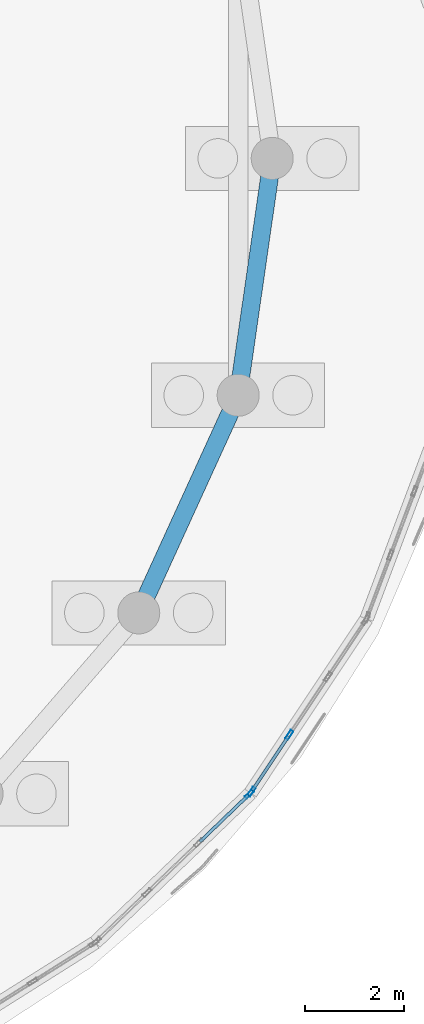
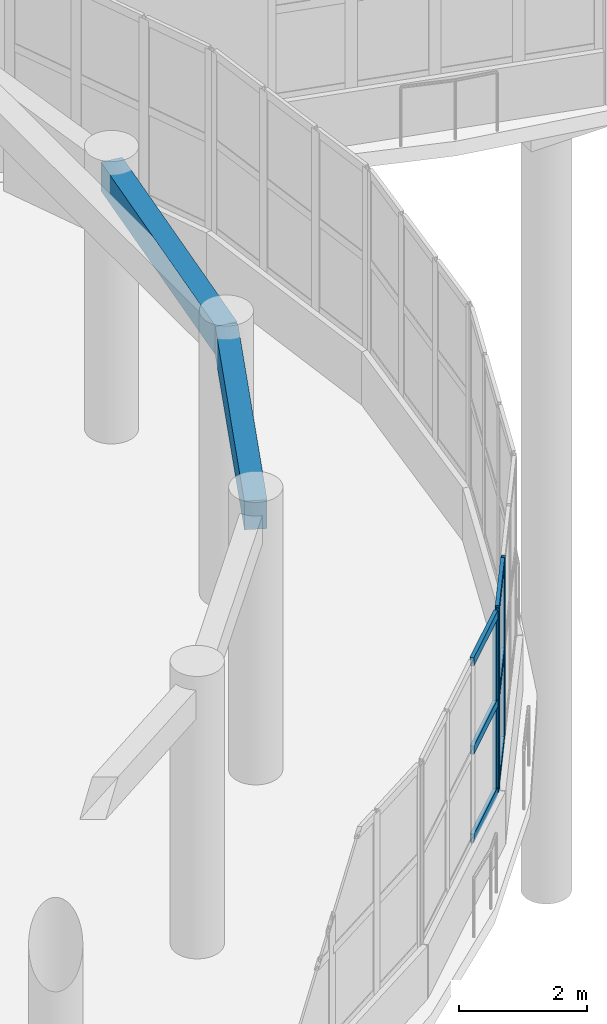
# One storey, part 29 of 96: 9 members, 2 beams, 2 elements without a shape of their own.
"""IFC4 building model written with IfcOpenShell, lengths in metres."""

from ifc_helpers import new_model, si_unit, direction, frame, origin, origin_2d, place, context, subcontext, project, spatial, rectangle, hollow_rectangle, extrude, material, layer, layer_set, material_profile, profile_set, type_object, element, aggregate, save


model = new_model("IFC4")

# Units and contexts
model_context = context("Model", 3, precision=1e-05, world=origin(), true_north=direction((0.0, 1.0)))
body_context = subcontext(model_context, "Body", "Model", "MODEL_VIEW")
ifc_project = project(units=[si_unit("LENGTHUNIT", "METRE"), si_unit("AREAUNIT", "SQUARE_METRE"), si_unit("VOLUMEUNIT", "CUBIC_METRE"), si_unit("PLANEANGLEUNIT", "RADIAN"), si_unit("MASSUNIT", "GRAM", prefix="KILO")], contexts=[model_context])

# Site, building, storey
site_placement = place(None, origin())
site = spatial("IfcSite", under=ifc_project, at=site_placement, CompositionType="ELEMENT")
building_placement = place(site_placement, origin())
building = spatial("IfcBuilding", under=site, at=building_placement, Name="Pelvatis Terrace Science Centre", CompositionType="ELEMENT")
storey_placement = place(building_placement, origin())
storey = spatial("IfcBuildingStorey", under=building, at=storey_placement, Name="L00", CompositionType="ELEMENT", Elevation=0.0)

# Beams
ifc_material_1 = material(Name="Concrete C35/45", Category="concrete")
ifc_material_profile_1 = material_profile(ifc_material_1, rectangle(XDim=0.360107421875, YDim=0.550048828125, at=origin_2d()), Name="RC-BM 360x550")
ifc_profile_set_1 = profile_set([ifc_material_profile_1], Name="Concrete C35/45")
beam_type = type_object("IfcBeamType", Name="BM-RC-360x550", PredefinedType="BEAM", material=ifc_profile_set_1)
beam_1_placement = place(storey_placement, frame((95.0, 54.60009765625, 4.864990234375), z_axis=(-0.142332506918, -0.989818901352, 0.0), x_axis=(0.989818901352, -0.142332506918, 0.0)))
element("IfcBeam", 1, at=beam_1_placement, inside=storey, type_object=beam_type, Name="Beam BM-L00-2203", PredefinedType="BEAM", context=body_context, shape_type="SweptSolid", body=[
    extrude(rectangle(XDim=0.360107421875, YDim=0.550048828125, at=origin_2d()), origin(), (0.0, 0.0, 1.0), 4.8388671875),
])
beam_2_placement = place(storey_placement, frame((92.30126953125, 45.4091796875, 4.864990234375), z_axis=(0.415410348173, 0.909634125696, 0.0), x_axis=(-0.909634125696, 0.415410348173, 0.0)))
element("IfcBeam", 2, at=beam_2_placement, inside=storey, type_object=beam_type, Name="Beam BM-L00-2218", PredefinedType="BEAM", context=body_context, shape_type="SweptSolid", body=[
    extrude(rectangle(XDim=0.360107421875, YDim=0.550048828125, at=origin_2d()), origin(), (0.0, 0.0, 1.0), 4.838623046875),
])

# Curtain wall, member
ifc_material_2 = material(Name="Bronze-anodised aluminium and laminated glass", Category="aluminium")
ifc_layer = layer(ifc_material_2, 0.199951171875)
ifc_layer_set = layer_set([ifc_layer], Name="Bronze-anodised aluminium and laminated glass")
curtain_wall_type = type_object("IfcCurtainWallType", Name="CW-RIBBON-B", PredefinedType="NOTDEFINED", material=ifc_layer_set)
curtain_wall_1_placement = place(storey_placement, origin())
curtain_wall_1 = element("IfcCurtainWall", 3, at=curtain_wall_1_placement, inside=storey, type_object=curtain_wall_type, Name="Ribbon curtain wall CW-056 (L00)", PredefinedType="NOTDEFINED")
ifc_material_3 = material(Name="Bronze-anodised aluminium 6063-T6", Category="aluminium")
ifc_material_profile_2 = material_profile(ifc_material_3, hollow_rectangle(XDim=0.06494140625, YDim=0.199951171875, WallThickness=0.00439453125, at=origin_2d()), Name="ALU-MUL 65x200")
ifc_profile_set_2 = profile_set([ifc_material_profile_2], Name="Bronze-anodised aluminium 6063-T6")
member_type_1 = type_object("IfcMemberType", Name="CWM-65x200", PredefinedType="MULLION", material=ifc_profile_set_2)
member_1_placement = place(storey_placement, frame((94.5390625, 41.7451171875, 1.02001953125), z_axis=(0.0, 0.0, 1.0), x_axis=(-0.693369132291, 0.720582574301, 0.0)))
member_1 = element("IfcMember", 4, at=member_1_placement, type_object=member_type_1, Name="CW-056 mullion 4", PredefinedType="MULLION", context=body_context, shape_type="SweptSolid", body=[
    extrude(hollow_rectangle(XDim=0.06494140625, YDim=0.199951171875, WallThickness=0.00439453125, at=origin_2d()), origin(), (0.0, 0.0, 1.0), 3.43994140625),
])

# Curtain wall, members
curtain_wall_2_placement = place(storey_placement, origin())
curtain_wall_2 = element("IfcCurtainWall", 5, at=curtain_wall_2_placement, inside=storey, type_object=curtain_wall_type, Name="Ribbon curtain wall CW-057 (L00)", PredefinedType="NOTDEFINED")
member_2_placement = place(storey_placement, frame((94.580322265625, 41.794677734375, 1.02001953125), z_axis=(0.0, 0.0, 1.0), x_axis=(-0.832148441606, 0.554552947095, 0.0)))
member_2 = element("IfcMember", 6, at=member_2_placement, type_object=member_type_1, Name="CW-057 mullion 1", PredefinedType="MULLION", context=body_context, shape_type="SweptSolid", body=[
    extrude(hollow_rectangle(XDim=0.06494140625, YDim=0.199951171875, WallThickness=0.00439453125, at=origin_2d()), origin(), (0.0, 0.0, 1.0), 3.43994140625),
])
member_3_placement = place(storey_placement, frame((95.3447265625, 42.94140625, 1.02001953125), z_axis=(0.0, 0.0, 1.0), x_axis=(-0.832148441606, 0.554552947095, 0.0)))
member_3 = element("IfcMember", 7, at=member_3_placement, type_object=member_type_1, Name="CW-057 mullion 2", PredefinedType="MULLION", context=body_context, shape_type="SweptSolid", body=[
    extrude(hollow_rectangle(XDim=0.06494140625, YDim=0.199951171875, WallThickness=0.00439453125, at=origin_2d()), origin(), (0.0, 0.0, 1.0), 3.43994140625),
])

# Member
ifc_material_4 = material(Name="Bronze-anodised aluminium 6063-T6", Category="aluminium")
ifc_material_profile_3 = material_profile(ifc_material_4, hollow_rectangle(XDim=0.06494140625, YDim=0.159912109375, WallThickness=0.00390625, at=origin_2d()), Name="ALU-TRN 65x160")
ifc_profile_set_3 = profile_set([ifc_material_profile_3], Name="Bronze-anodised aluminium 6063-T6")
member_type_2 = type_object("IfcMemberType", Name="CWT-65x160", PredefinedType="USERDEFINED", material=ifc_profile_set_3)
member_4_placement = place(storey_placement, frame((93.5390625, 40.782958984375, 1.052490234375), z_axis=(0.720666864276, 0.693281523434, 0.0), x_axis=(-0.693281523434, 0.720666864276, 0.0)))
member_4 = element("IfcMember", 8, at=member_4_placement, type_object=member_type_2, Name="CW-056 transom 3.1", ObjectType="TRANSOM", PredefinedType="USERDEFINED", context=body_context, shape_type="SweptSolid", body=[
    extrude(hollow_rectangle(XDim=0.06494140625, YDim=0.159912109375, WallThickness=0.00390625, at=origin_2d()), origin(), (0.0, 0.0, 1.0), 1.35498046875),
])

member_5_placement = place(storey_placement, frame((93.5390625, 40.782958984375, 2.739990234375), z_axis=(0.720666864276, 0.693281523434, 0.0), x_axis=(-0.693281523434, 0.720666864276, 0.0)))
member_5 = element("IfcMember", 9, at=member_5_placement, type_object=member_type_2, Name="CW-056 transom 3.2", ObjectType="TRANSOM", PredefinedType="USERDEFINED", context=body_context, shape_type="SweptSolid", body=[
    extrude(hollow_rectangle(XDim=0.06494140625, YDim=0.159912109375, WallThickness=0.00390625, at=origin_2d()), origin(), (0.0, 0.0, 1.0), 1.35498046875),
])

member_6_placement = place(storey_placement, frame((93.5390625, 40.782958984375, 4.427490234375), z_axis=(0.720666864276, 0.693281523434, 0.0), x_axis=(-0.693281523434, 0.720666864276, 0.0)))
member_6 = element("IfcMember", 10, at=member_6_placement, type_object=member_type_2, Name="CW-056 transom 3.3", ObjectType="TRANSOM", PredefinedType="USERDEFINED", context=body_context, shape_type="SweptSolid", body=[
    extrude(hollow_rectangle(XDim=0.06494140625, YDim=0.159912109375, WallThickness=0.00390625, at=origin_2d()), origin(), (0.0, 0.0, 1.0), 1.35498046875),
])

aggregate(curtain_wall_1, [member_1, member_4, member_5, member_6])

member_7_placement = place(storey_placement, frame((94.598388671875, 41.82177734375, 1.052490234375), z_axis=(0.554657286391, 0.832078899296, 0.0), x_axis=(-0.832078899296, 0.554657286391, 0.0)))
member_7 = element("IfcMember", 11, at=member_7_placement, type_object=member_type_2, Name="CW-057 transom 1.1", ObjectType="TRANSOM", PredefinedType="USERDEFINED", context=body_context, shape_type="SweptSolid", body=[
    extrude(hollow_rectangle(XDim=0.06494140625, YDim=0.159912109375, WallThickness=0.00390625, at=origin_2d()), origin(), (0.0, 0.0, 1.0), 1.31298828125),
])

member_8_placement = place(storey_placement, frame((94.598388671875, 41.82177734375, 2.739990234375), z_axis=(0.554657286391, 0.832078899296, 0.0), x_axis=(-0.832078899296, 0.554657286391, 0.0)))
member_8 = element("IfcMember", 12, at=member_8_placement, type_object=member_type_2, Name="CW-057 transom 1.2", ObjectType="TRANSOM", PredefinedType="USERDEFINED", context=body_context, shape_type="SweptSolid", body=[
    extrude(hollow_rectangle(XDim=0.06494140625, YDim=0.159912109375, WallThickness=0.00390625, at=origin_2d()), origin(), (0.0, 0.0, 1.0), 1.31298828125),
])

member_9_placement = place(storey_placement, frame((94.598388671875, 41.82177734375, 4.427490234375), z_axis=(0.554657286391, 0.832078899296, 0.0), x_axis=(-0.832078899296, 0.554657286391, 0.0)))
member_9 = element("IfcMember", 13, at=member_9_placement, type_object=member_type_2, Name="CW-057 transom 1.3", ObjectType="TRANSOM", PredefinedType="USERDEFINED", context=body_context, shape_type="SweptSolid", body=[
    extrude(hollow_rectangle(XDim=0.06494140625, YDim=0.159912109375, WallThickness=0.00390625, at=origin_2d()), origin(), (0.0, 0.0, 1.0), 1.31298828125),
])

aggregate(curtain_wall_2, [member_2, member_3, member_7, member_8, member_9])

save(model, "model.ifc")
